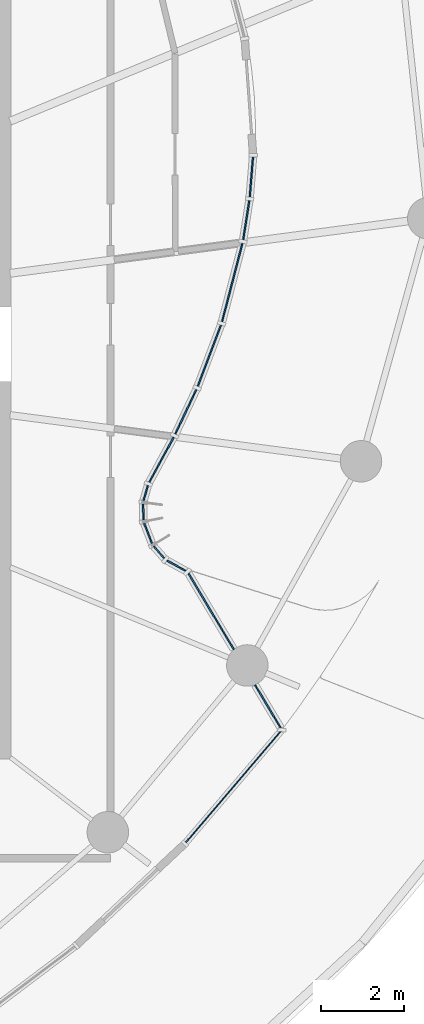
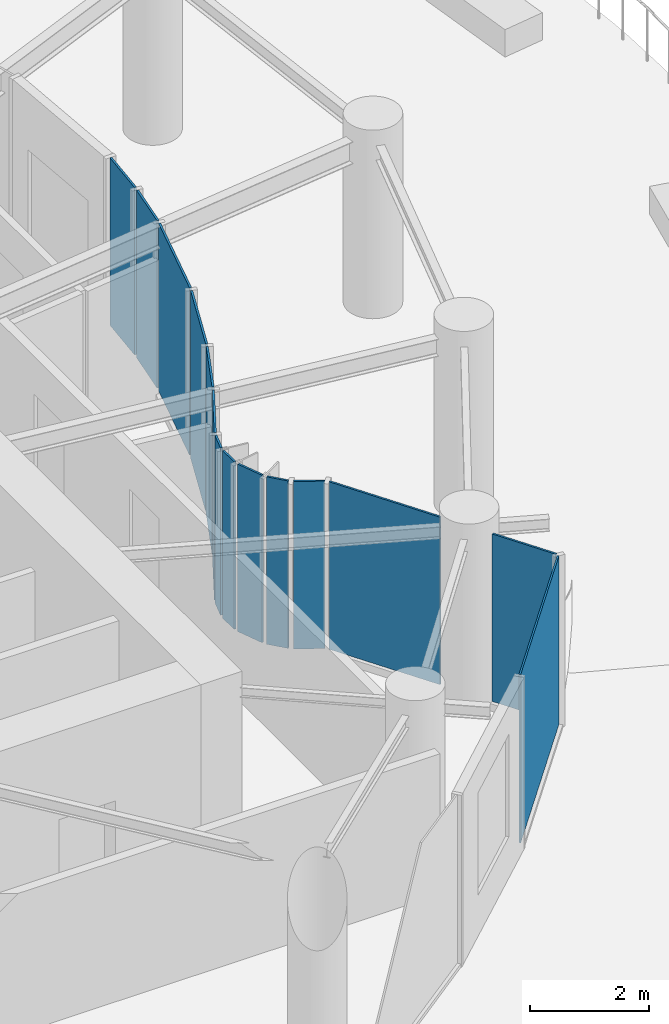
# One storey, part 9 of 21: 14 plates, 3 elements without a shape of their own.
"""IFC4 building model written with IfcOpenShell, lengths in metres."""

from ifc_helpers import new_model, si_unit, direction, frame, origin, origin_2d, place, context, subcontext, project, spatial, rectangle, extrude, source, transform, mapped, material, layer, layer_set, type_object, element, aggregate, save


model = new_model("IFC4")

# Units and contexts
model_context = context("Model", 3, precision=1e-05, world=origin(), true_north=direction((0.0, 1.0)))
body_context = subcontext(model_context, "Body", "Model", "MODEL_VIEW")
ifc_project = project(units=[si_unit("LENGTHUNIT", "METRE"), si_unit("AREAUNIT", "SQUARE_METRE"), si_unit("VOLUMEUNIT", "CUBIC_METRE"), si_unit("PLANEANGLEUNIT", "RADIAN"), si_unit("MASSUNIT", "GRAM", prefix="KILO")], contexts=[model_context])

# Site, building, storey
site_placement = place(None, origin())
site = spatial("IfcSite", under=ifc_project, at=site_placement, CompositionType="ELEMENT")
building_placement = place(site_placement, origin())
building = spatial("IfcBuilding", under=site, at=building_placement, Name="Spindrift Exchange Tower", CompositionType="ELEMENT")
storey_placement = place(building_placement, frame((0.0, 0.0, 133.10009765625)))
storey = spatial("IfcBuildingStorey", under=building, at=storey_placement, Name="L31", CompositionType="ELEMENT", Elevation=133.10009765625)

# Curtain wall, plate
ifc_material_1 = material(Name="Fritted laminated glass with bronze frame", Category="glass")
ifc_layer_1 = layer(ifc_material_1, 0.179931640625)
ifc_layer_set_1 = layer_set([ifc_layer_1], Name="ZONE 3 BRONZE FRITTED WALL")
curtain_wall_type_1 = type_object("IfcCurtainWallType", Name="ZONE 3 BRONZE FRITTED WALL", PredefinedType="NOTDEFINED", material=ifc_layer_set_1)
curtain_wall_1_placement = place(storey_placement, origin())
curtain_wall_1 = element("IfcCurtainWall", 1, at=curtain_wall_1_placement, inside=storey, type_object=curtain_wall_type_1, Name="L31 Zone 3 Bronze Fritted Wall run 5", PredefinedType="NOTDEFINED")
ifc_material_2 = material(Name="Bronze tinted laminated glass, light frit", Category="glass")
ifc_layer_2 = layer(ifc_material_2, 0.031982421875)
ifc_layer_set_2 = layer_set([ifc_layer_2], Name="ZONE 3 BRONZE FRITTED WALL PANEL LIGHT FRIT 960")
plate_type_1 = type_object("IfcPlateType", Name="ZONE 3 BRONZE FRITTED WALL PANEL LIGHT FRIT 960", PredefinedType="CURTAIN_PANEL", material=ifc_layer_set_2)
shared_shape_1 = source(origin(), body_context, "Body", "SweptSolid", [
    extrude(rectangle(XDim=3.530517578125, YDim=0.031982421875, at=origin_2d()), origin(), (0.0, 0.0, 1.0), 3.449951171875),
])
plate_1_placement = place(storey_placement, frame((70.364501953125, 37.329833984375, 0.1298828125), z_axis=(0.0, 0.0, 1.0), x_axis=(0.649225057741, 0.760596361023, 0.0)))
plate_1 = element("IfcPlate", 2, at=plate_1_placement, type_object=plate_type_1, Name="L31 panel CW-3.27", PredefinedType="CURTAIN_PANEL", context=body_context, shape_type="MappedRepresentation", body=[
    mapped(shared_shape_1, transform((0.0, 0.0, 0.0), scale=1.0)),
])
aggregate(curtain_wall_1, [plate_1])

# Curtain wall, plates
ifc_layer_3 = layer(ifc_material_1, 0.199951171875)
ifc_layer_set_3 = layer_set([ifc_layer_3], Name="SKY GARDEN BRONZE GLAZED WALL")
curtain_wall_type_2 = type_object("IfcCurtainWallType", Name="SKY GARDEN BRONZE GLAZED WALL", PredefinedType="NOTDEFINED", material=ifc_layer_set_3)
curtain_wall_2_placement = place(storey_placement, origin())
curtain_wall_2 = element("IfcCurtainWall", 3, at=curtain_wall_2_placement, inside=storey, type_object=curtain_wall_type_2, Name="L31 Sky Garden Bronze Glazed Wall run 6", PredefinedType="NOTDEFINED")
ifc_material_3 = material(Name="Bronze tinted laminated glass, clear vision", Category="glass")
ifc_layer_4 = layer(ifc_material_3, 0.0380859375)
ifc_layer_set_4 = layer_set([ifc_layer_4], Name="SKY GARDEN BRONZE GLAZED WALL PANEL CLEAR 1560")
plate_type_2 = type_object("IfcPlateType", Name="SKY GARDEN BRONZE GLAZED WALL PANEL CLEAR 1560", PredefinedType="CURTAIN_PANEL", material=ifc_layer_set_4)
shared_shape_2 = source(origin(), body_context, "Body", "SweptSolid", [
    extrude(rectangle(XDim=1.220703125, YDim=0.0380859375, at=origin_2d()), origin(), (0.0, 0.0, 1.0), 3.429931640625),
])
plate_2_placement = place(storey_placement, frame((71.19873046875, 39.259521484375, 0.14990234375), z_axis=(0.0, 0.0, 1.0), x_axis=(-0.512712836996, 0.858560159091, 0.0)))
plate_2 = element("IfcPlate", 4, at=plate_2_placement, type_object=plate_type_2, Name="L31 panel CW-G.28", PredefinedType="CURTAIN_PANEL", context=body_context, shape_type="MappedRepresentation", body=[
    mapped(shared_shape_2, transform((0.0, 0.0, 0.0), scale=1.0)),
])
shared_shape_3 = source(origin(), body_context, "Body", "SweptSolid", [
    extrude(rectangle(XDim=2.134521484375, YDim=0.0380859375, at=origin_2d()), origin(), (0.0, 0.0, 1.0), 3.429931640625),
])
plate_3_placement = place(storey_placement, frame((69.825927734375, 41.558349609375, 0.14990234375), z_axis=(0.0, 0.0, 1.0), x_axis=(-0.512712836996, 0.858560159091, 0.0)))
plate_3 = element("IfcPlate", 5, at=plate_3_placement, type_object=plate_type_2, Name="L31 panel CW-G.28b", PredefinedType="CURTAIN_PANEL", context=body_context, shape_type="MappedRepresentation", body=[
    mapped(shared_shape_3, transform((0.0, 0.0, 0.0), scale=1.0)),
])
ifc_layer_5 = layer(ifc_material_3, 0.0380859375)
ifc_layer_set_5 = layer_set([ifc_layer_5], Name="SKY GARDEN BRONZE GLAZED WALL PANEL CLEAR 1920")
plate_type_3 = type_object("IfcPlateType", Name="SKY GARDEN BRONZE GLAZED WALL PANEL CLEAR 1920", PredefinedType="CURTAIN_PANEL", material=ifc_layer_set_5)
shared_shape_4 = source(origin(), body_context, "Body", "SweptSolid", [
    extrude(rectangle(XDim=0.525146484375, YDim=0.0380859375, at=origin_2d()), origin(), (0.0, 0.0, 1.0), 3.429931640625),
])
plate_4_placement = place(storey_placement, frame((68.989501953125, 42.658447265625, 0.14990234375), z_axis=(0.0, 0.0, 1.0), x_axis=(-0.875921305114, 0.482454005319, 0.0)))
plate_4 = element("IfcPlate", 6, at=plate_4_placement, type_object=plate_type_3, Name="L31 panel CW-G.29", PredefinedType="CURTAIN_PANEL", context=body_context, shape_type="MappedRepresentation", body=[
    mapped(shared_shape_4, transform((0.0, 0.0, 0.0), scale=1.0)),
])
shared_shape_5 = source(origin(), body_context, "Body", "SweptSolid", [
    extrude(rectangle(XDim=0.380859375, YDim=0.0380859375, at=origin_2d()), origin(), (0.0, 0.0, 1.0), 3.429931640625),
])
plate_5_placement = place(storey_placement, frame((68.569091796875, 42.98095703125, 0.14990234375), z_axis=(0.0, 0.0, 1.0), x_axis=(-0.65829146487, 0.752763141552, 0.0)))
plate_5 = element("IfcPlate", 7, at=plate_5_placement, type_object=plate_type_3, Name="L31 panel CW-G.30", PredefinedType="CURTAIN_PANEL", context=body_context, shape_type="MappedRepresentation", body=[
    mapped(shared_shape_5, transform((0.0, 0.0, 0.0), scale=1.0)),
])
shared_shape_6 = source(origin(), body_context, "Body", "SweptSolid", [
    extrude(rectangle(XDim=0.522705078125, YDim=0.0380859375, at=origin_2d()), origin(), (0.0, 0.0, 1.0), 3.429931640625),
])
plate_6_placement = place(storey_placement, frame((68.305908203125, 43.439453125, 0.14990234375), z_axis=(0.0, 0.0, 1.0), x_axis=(-0.362010188379, 0.932174137975, 0.0)))
plate_6 = element("IfcPlate", 8, at=plate_6_placement, type_object=plate_type_2, Name="L31 panel CW-G.31", PredefinedType="CURTAIN_PANEL", context=body_context, shape_type="MappedRepresentation", body=[
    mapped(shared_shape_6, transform((0.0, 0.0, 0.0), scale=1.0)),
])
ifc_layer_6 = layer(ifc_material_3, 0.0380859375)
ifc_layer_set_6 = layer_set([ifc_layer_6], Name="SKY GARDEN BRONZE GLAZED WALL PANEL CLEAR 1200")
plate_type_4 = type_object("IfcPlateType", Name="SKY GARDEN BRONZE GLAZED WALL PANEL CLEAR 1200", PredefinedType="CURTAIN_PANEL", material=ifc_layer_set_6)
shared_shape_7 = source(origin(), body_context, "Body", "SweptSolid", [
    extrude(rectangle(XDim=0.380615234375, YDim=0.0380859375, at=origin_2d()), origin(), (0.0, 0.0, 1.0), 3.429931640625),
])
plate_7_placement = place(storey_placement, frame((68.190673828125, 43.95556640625, 0.14990234375), z_axis=(0.0, 0.0, 1.0), x_axis=(-0.022116754142, 0.999755394677, 0.0)))
plate_7 = element("IfcPlate", 9, at=plate_7_placement, type_object=plate_type_4, Name="L31 panel CW-G.32", PredefinedType="CURTAIN_PANEL", context=body_context, shape_type="MappedRepresentation", body=[
    mapped(shared_shape_7, transform((0.0, 0.0, 0.0), scale=1.0)),
])
shared_shape_8 = source(origin(), body_context, "Body", "SweptSolid", [
    extrude(rectangle(XDim=0.375732421875, YDim=0.0380859375, at=origin_2d()), origin(), (0.0, 0.0, 1.0), 3.429931640625),
])
plate_8_placement = place(storey_placement, frame((68.24853515625, 44.409912109375, 0.14990234375), z_axis=(0.0, 0.0, 1.0), x_axis=(0.274118677674, 0.961695872171, 0.0)))
plate_8 = element("IfcPlate", 10, at=plate_8_placement, type_object=plate_type_2, Name="L31 panel CW-G.33", PredefinedType="CURTAIN_PANEL", context=body_context, shape_type="MappedRepresentation", body=[
    mapped(shared_shape_8, transform((0.0, 0.0, 0.0), scale=1.0)),
])
aggregate(curtain_wall_2, [plate_2, plate_3, plate_4, plate_5, plate_6, plate_7, plate_8])

curtain_wall_3_placement = place(storey_placement, origin())
curtain_wall_3 = element("IfcCurtainWall", 11, at=curtain_wall_3_placement, inside=storey, type_object=curtain_wall_type_2, Name="L31 Sky Garden Bronze Glazed Wall run 7", PredefinedType="NOTDEFINED")
shared_shape_9 = source(origin(), body_context, "Body", "SweptSolid", [
    extrude(rectangle(XDim=1.240234375, YDim=0.0380859375, at=origin_2d()), origin(), (0.0, 0.0, 1.0), 3.429931640625),
])
plate_9_placement = place(storey_placement, frame((68.62841796875, 45.21337890625, 0.14990234375), z_axis=(0.0, 0.0, 1.0), x_axis=(0.477762974528, 0.87848878204, 0.0)))
plate_9 = element("IfcPlate", 12, at=plate_9_placement, type_object=plate_type_2, Name="L31 panel CW-G.34", PredefinedType="CURTAIN_PANEL", context=body_context, shape_type="MappedRepresentation", body=[
    mapped(shared_shape_9, transform((0.0, 0.0, 0.0), scale=1.0)),
])
shared_shape_10 = source(origin(), body_context, "Body", "SweptSolid", [
    extrude(rectangle(XDim=1.18701171875, YDim=0.0380859375, at=origin_2d()), origin(), (0.0, 0.0, 1.0), 3.429931640625),
])
plate_10_placement = place(storey_placement, frame((69.21630859375, 46.370849609375, 0.14990234375), z_axis=(0.0, 0.0, 1.0), x_axis=(0.426622410599, 0.904429830763, 0.0)))
plate_10 = element("IfcPlate", 13, at=plate_10_placement, type_object=plate_type_3, Name="L31 panel CW-G.35", PredefinedType="CURTAIN_PANEL", context=body_context, shape_type="MappedRepresentation", body=[
    mapped(shared_shape_10, transform((0.0, 0.0, 0.0), scale=1.0)),
])
shared_shape_11 = source(origin(), body_context, "Body", "SweptSolid", [
    extrude(rectangle(XDim=1.578857421875, YDim=0.0380859375, at=origin_2d()), origin(), (0.0, 0.0, 1.0), 3.429931640625),
])
plate_11_placement = place(storey_placement, frame((69.783203125, 47.7236328125, 0.14990234375), z_axis=(0.0, 0.0, 1.0), x_axis=(0.35519017151, 0.934794063986, 0.0)))
plate_11 = element("IfcPlate", 14, at=plate_11_placement, type_object=plate_type_4, Name="L31 panel CW-G.36", PredefinedType="CURTAIN_PANEL", context=body_context, shape_type="MappedRepresentation", body=[
    mapped(shared_shape_11, transform((0.0, 0.0, 0.0), scale=1.0)),
])
shared_shape_12 = source(origin(), body_context, "Body", "SweptSolid", [
    extrude(rectangle(XDim=1.955810546875, YDim=0.0380859375, at=origin_2d()), origin(), (0.0, 0.0, 1.0), 3.429931640625),
])
plate_12_placement = place(storey_placement, frame((70.3359375, 49.489013671875, 0.14990234375), z_axis=(0.0, 0.0, 1.0), x_axis=(0.252138605414, 0.967691130299, 0.0)))
plate_12 = element("IfcPlate", 15, at=plate_12_placement, type_object=plate_type_4, Name="L31 panel CW-G.37", PredefinedType="CURTAIN_PANEL", context=body_context, shape_type="MappedRepresentation", body=[
    mapped(shared_shape_12, transform((0.0, 0.0, 0.0), scale=1.0)),
])
shared_shape_13 = source(origin(), body_context, "Body", "SweptSolid", [
    extrude(rectangle(XDim=0.955810546875, YDim=0.0380859375, at=origin_2d()), origin(), (0.0, 0.0, 1.0), 3.429931640625),
])
plate_13_placement = place(storey_placement, frame((70.673583984375, 50.990478515625, 0.14990234375), z_axis=(0.0, 0.0, 1.0), x_axis=(0.154605202192, 0.987976331425, 0.0)))
plate_13 = element("IfcPlate", 16, at=plate_13_placement, type_object=plate_type_3, Name="L31 panel CW-G.38", PredefinedType="CURTAIN_PANEL", context=body_context, shape_type="MappedRepresentation", body=[
    mapped(shared_shape_13, transform((0.0, 0.0, 0.0), scale=1.0)),
])
shared_shape_14 = source(origin(), body_context, "Body", "SweptSolid", [
    extrude(rectangle(XDim=0.965576171875, YDim=0.0380859375, at=origin_2d()), origin(), (0.0, 0.0, 1.0), 3.429931640625),
])
plate_14_placement = place(storey_placement, frame((70.796630859375, 52.028076171875, 0.14990234375), z_axis=(0.0, 0.0, 1.0), x_axis=(0.081013080517, 0.996713038334, 0.0)))
plate_14 = element("IfcPlate", 17, at=plate_14_placement, type_object=plate_type_4, Name="L31 panel CW-G.39", PredefinedType="CURTAIN_PANEL", context=body_context, shape_type="MappedRepresentation", body=[
    mapped(shared_shape_14, transform((0.0, 0.0, 0.0), scale=1.0)),
])
aggregate(curtain_wall_3, [plate_9, plate_10, plate_11, plate_12, plate_13, plate_14])

save(model, "model.ifc")
